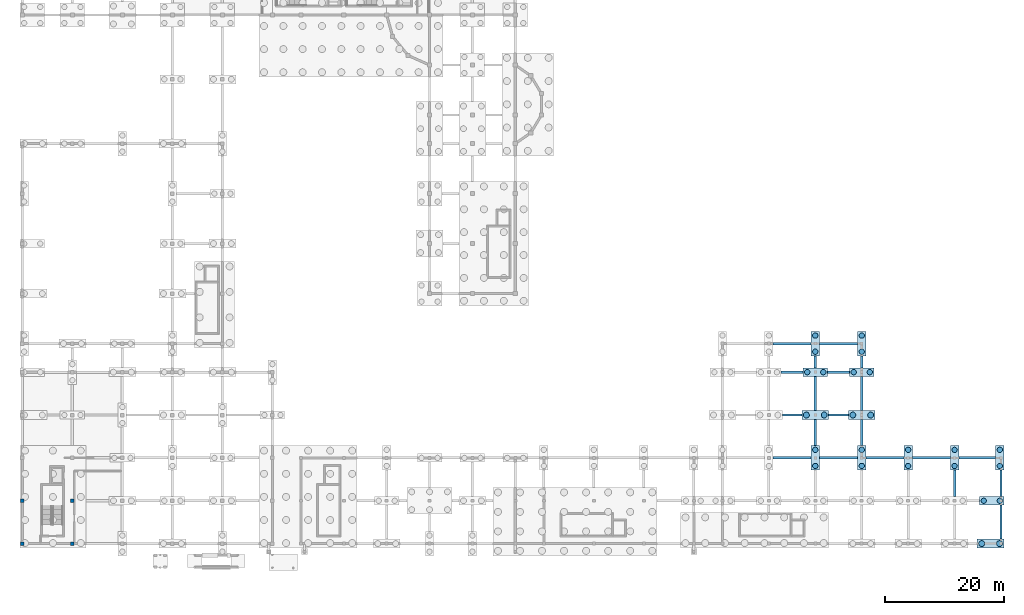
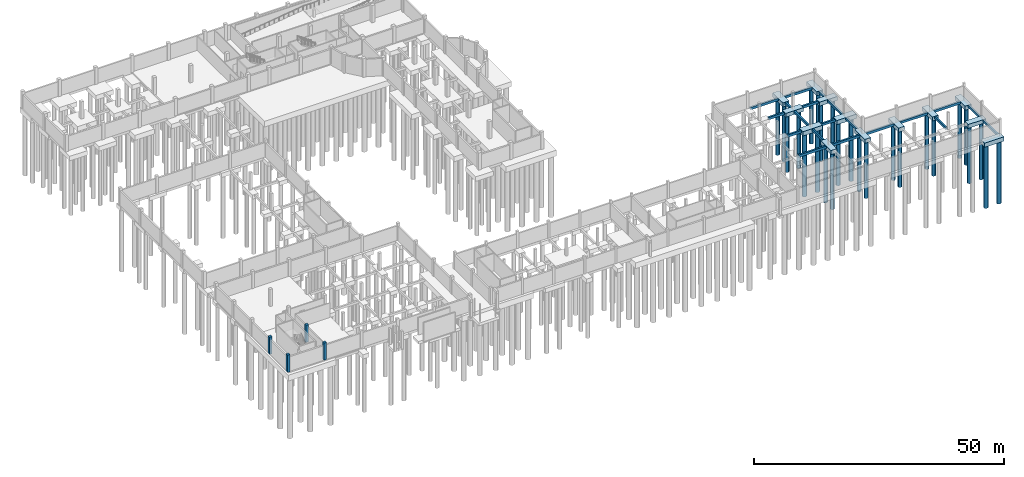
# One storey, part 7 of 22: 33 footings, 26 piles, 4 columns.
"""IFC4 building model written with IfcOpenShell, lengths in metres."""

from ifc_helpers import new_model, si_unit, direction, frame, origin, origin_2d, place, context, subcontext, project, spatial, rectangle, circle, extrude, material, material_profile, profile_set, type_object, element, save


model = new_model("IFC4")

# Units and contexts
model_context = context("Model", 3, precision=1e-05, world=origin(), true_north=direction((0.0, 1.0)))
body_context = subcontext(model_context, "Body", "Model", "MODEL_VIEW")
ifc_project = project(units=[si_unit("LENGTHUNIT", "METRE"), si_unit("AREAUNIT", "SQUARE_METRE"), si_unit("VOLUMEUNIT", "CUBIC_METRE"), si_unit("PLANEANGLEUNIT", "RADIAN"), si_unit("MASSUNIT", "GRAM", prefix="KILO")], contexts=[model_context])

# Site, building, storey
site_placement = place(None, origin())
site = spatial("IfcSite", under=ifc_project, at=site_placement, CompositionType="ELEMENT")
building_placement = place(site_placement, origin())
building = spatial("IfcBuilding", under=site, at=building_placement, Name="Kahlenmark Community Centre", CompositionType="ELEMENT")
storey_placement = place(building_placement, frame((0.0, 0.0, -4.199951171875)))
storey = spatial("IfcBuildingStorey", under=building, at=storey_placement, Name="B1", CompositionType="ELEMENT", Elevation=-4.199951171875)

# Footings
ifc_material_1 = material(Name="Concrete C30/37", Category="concrete")
footing_type_1 = type_object("IfcFootingType", Name="FT-GB-400X600", PredefinedType="FOOTING_BEAM", material=ifc_material_1)
for number, where, z_axis, x_axis, name in (
    (1, (133.300048828125, 23.199951171875, -0.60009765625), (0.0, 0.0, 1.0), (1.0, 0.0, 0.0), "Ground tie beam X043"),
    (2, (141.10009765625, 23.199951171875, -0.60009765625), (0.0, 0.0, 1.0), (1.0, 0.0, 0.0), "Ground tie beam X044"),
    (3, (148.89990234375, 23.199951171875, -0.60009765625), (0.0, 0.0, 1.0), (1.0, 0.0, 0.0), "Ground tie beam X045"),
    (4, (156.699951171875, 23.199951171875, -0.60009765625), (0.0, 0.0, 1.0), (1.0, 0.0, 0.0), "Ground tie beam X046"),
):
    element("IfcFooting", number, at=place(storey_placement, frame(where, z_axis=z_axis, x_axis=x_axis)), inside=storey, type_object=footing_type_1, Name=name, PredefinedType="FOOTING_BEAM", context=body_context, shape_type="SweptSolid", body=[
        extrude(rectangle(XDim=6.39990234375, YDim=0.39990234375, at=origin_2d()), origin(), (0.0, 0.0, 1.0), 0.60009765625),
    ])
footing_1_placement = place(storey_placement, frame((164.39990234375, 23.199951171875, -0.60009765625), z_axis=(0.0, 0.0, 1.0), x_axis=(1.0, 0.0, 0.0)))
element("IfcFooting", 5, at=footing_1_placement, inside=storey, type_object=footing_type_1, Name="Ground tie beam X047", PredefinedType="FOOTING_BEAM", context=body_context, shape_type="SweptSolid", body=[
    extrude(rectangle(XDim=6.199951171875, YDim=0.39990234375, at=origin_2d()), origin(), (0.0, 0.0, 1.0), 0.60009765625),
])
for number, where, z_axis, x_axis, name in (
    (6, (133.300048828125, 30.39990234375, -0.60009765625), (0.0, 0.0, 1.0), (1.0, 0.0, 0.0), "Ground tie beam X054"),
    (7, (141.10009765625, 30.39990234375, -0.60009765625), (0.0, 0.0, 1.0), (1.0, 0.0, 0.0), "Ground tie beam X055"),
):
    element("IfcFooting", number, at=place(storey_placement, frame(where, z_axis=z_axis, x_axis=x_axis)), inside=storey, type_object=footing_type_1, Name=name, PredefinedType="FOOTING_BEAM", context=body_context, shape_type="SweptSolid", body=[
        extrude(rectangle(XDim=3.300048828125, YDim=0.39990234375, at=origin_2d()), origin(), (0.0, 0.0, 1.0), 0.60009765625),
    ])
for number, where, z_axis, x_axis, name in (
    (8, (133.300048828125, 37.60009765625, -0.60009765625), (0.0, 0.0, 1.0), (1.0, 0.0, 0.0), "Ground tie beam X062"),
    (9, (141.10009765625, 37.60009765625, -0.60009765625), (0.0, 0.0, 1.0), (1.0, 0.0, 0.0), "Ground tie beam X063"),
):
    element("IfcFooting", number, at=place(storey_placement, frame(where, z_axis=z_axis, x_axis=x_axis)), inside=storey, type_object=footing_type_1, Name=name, PredefinedType="FOOTING_BEAM", context=body_context, shape_type="SweptSolid", body=[
        extrude(rectangle(XDim=3.699951171875, YDim=0.39990234375, at=origin_2d()), origin(), (0.0, 0.0, 1.0), 0.60009765625),
    ])
for number, where, z_axis, x_axis, name in (
    (10, (133.300048828125, 42.39990234375, -0.60009765625), (0.0, 0.0, 1.0), (1.0, 0.0, 0.0), "Ground tie beam X069"),
    (11, (141.10009765625, 42.39990234375, -0.60009765625), (0.0, 0.0, 1.0), (1.0, 0.0, 0.0), "Ground tie beam X070"),
):
    element("IfcFooting", number, at=place(storey_placement, frame(where, z_axis=z_axis, x_axis=x_axis)), inside=storey, type_object=footing_type_1, Name=name, PredefinedType="FOOTING_BEAM", context=body_context, shape_type="SweptSolid", body=[
        extrude(rectangle(XDim=6.39990234375, YDim=0.39990234375, at=origin_2d()), origin(), (0.0, 0.0, 1.0), 0.60009765625),
    ])
footing_2_placement = place(storey_placement, frame((137.199951171875, 27.449951171875, -0.60009765625), z_axis=(0.0, 0.0, 1.0), x_axis=(1.0, 0.0, 0.0)))
element("IfcFooting", 12, at=footing_2_placement, inside=storey, type_object=footing_type_1, Name="Ground tie beam Y201", PredefinedType="FOOTING_BEAM", context=body_context, shape_type="SweptSolid", body=[
    extrude(rectangle(XDim=0.39990234375, YDim=4.39990234375, at=origin_2d()), origin(), (0.0, 0.0, 1.0), 0.60009765625),
])
footing_3_placement = place(storey_placement, frame((137.199951171875, 34.02490234375, -0.60009765625), z_axis=(0.0, 0.0, 1.0), x_axis=(1.0, 0.0, 0.0)))
element("IfcFooting", 13, at=footing_3_placement, inside=storey, type_object=footing_type_1, Name="Ground tie beam Y202", PredefinedType="FOOTING_BEAM", context=body_context, shape_type="SweptSolid", body=[
    extrude(rectangle(XDim=0.39990234375, YDim=5.75, at=origin_2d()), origin(), (0.0, 0.0, 1.0), 0.60009765625),
])
footing_4_placement = place(storey_placement, frame((137.199951171875, 39.324951171875, -0.60009765625), z_axis=(0.0, 0.0, 1.0), x_axis=(1.0, 0.0, 0.0)))
element("IfcFooting", 14, at=footing_4_placement, inside=storey, type_object=footing_type_1, Name="Ground tie beam Y203", PredefinedType="FOOTING_BEAM", context=body_context, shape_type="SweptSolid", body=[
    extrude(rectangle(XDim=0.39990234375, YDim=2.050048828125, at=origin_2d()), origin(), (0.0, 0.0, 1.0), 0.60009765625),
])
footing_5_placement = place(storey_placement, frame((145.0, 27.449951171875, -0.60009765625), z_axis=(0.0, 0.0, 1.0), x_axis=(1.0, 0.0, 0.0)))
element("IfcFooting", 15, at=footing_5_placement, inside=storey, type_object=footing_type_1, Name="Ground tie beam Y206", PredefinedType="FOOTING_BEAM", context=body_context, shape_type="SweptSolid", body=[
    extrude(rectangle(XDim=0.39990234375, YDim=4.39990234375, at=origin_2d()), origin(), (0.0, 0.0, 1.0), 0.60009765625),
])
footing_6_placement = place(storey_placement, frame((145.0, 34.02490234375, -0.60009765625), z_axis=(0.0, 0.0, 1.0), x_axis=(1.0, 0.0, 0.0)))
element("IfcFooting", 16, at=footing_6_placement, inside=storey, type_object=footing_type_1, Name="Ground tie beam Y207", PredefinedType="FOOTING_BEAM", context=body_context, shape_type="SweptSolid", body=[
    extrude(rectangle(XDim=0.39990234375, YDim=5.75, at=origin_2d()), origin(), (0.0, 0.0, 1.0), 0.60009765625),
])
footing_7_placement = place(storey_placement, frame((145.0, 39.324951171875, -0.60009765625), z_axis=(0.0, 0.0, 1.0), x_axis=(1.0, 0.0, 0.0)))
element("IfcFooting", 17, at=footing_7_placement, inside=storey, type_object=footing_type_1, Name="Ground tie beam Y208", PredefinedType="FOOTING_BEAM", context=body_context, shape_type="SweptSolid", body=[
    extrude(rectangle(XDim=0.39990234375, YDim=2.050048828125, at=origin_2d()), origin(), (0.0, 0.0, 1.0), 0.60009765625),
])
footing_8_placement = place(storey_placement, frame((160.60009765625, 18.925048828125, -0.60009765625), z_axis=(0.0, 0.0, 1.0), x_axis=(1.0, 0.0, 0.0)))
element("IfcFooting", 18, at=footing_8_placement, inside=storey, type_object=footing_type_1, Name="Ground tie beam Y212", PredefinedType="FOOTING_BEAM", context=body_context, shape_type="SweptSolid", body=[
    extrude(rectangle(XDim=0.39990234375, YDim=4.449951171875, at=origin_2d()), origin(), (0.0, 0.0, 1.0), 0.60009765625),
])
footing_9_placement = place(storey_placement, frame((168.39990234375, 12.425048828125, -0.60009765625), z_axis=(0.0, 0.0, 1.0), x_axis=(1.0, 0.0, 0.0)))
element("IfcFooting", 19, at=footing_9_placement, inside=storey, type_object=footing_type_1, Name="Ground tie beam Y213", PredefinedType="FOOTING_BEAM", context=body_context, shape_type="SweptSolid", body=[
    extrude(rectangle(XDim=0.39990234375, YDim=5.75, at=origin_2d()), origin(), (0.0, 0.0, 1.0), 0.60009765625),
])
footing_10_placement = place(storey_placement, frame((168.39990234375, 18.925048828125, -0.60009765625), z_axis=(0.0, 0.0, 1.0), x_axis=(1.0, 0.0, 0.0)))
element("IfcFooting", 20, at=footing_10_placement, inside=storey, type_object=footing_type_1, Name="Ground tie beam Y214", PredefinedType="FOOTING_BEAM", context=body_context, shape_type="SweptSolid", body=[
    extrude(rectangle(XDim=0.39990234375, YDim=4.449951171875, at=origin_2d()), origin(), (0.0, 0.0, 1.0), 0.60009765625),
])
footing_type_2 = type_object("IfcFootingType", Name="FT-PC-140X410X100", PredefinedType="PILE_CAP", material=ifc_material_1)
for number, where, z_axis, x_axis, name in (
    (21, (137.199951171875, 23.199951171875, -1.0), (0.0, 0.0, 1.0), (1.0, 0.0, 0.0), "Bored pile cap FT-PC-036"),
    (22, (145.0, 23.199951171875, -1.0), (0.0, 0.0, 1.0), (1.0, 0.0, 0.0), "Bored pile cap FT-PC-037"),
    (23, (152.800048828125, 23.199951171875, -1.0), (0.0, 0.0, 1.0), (1.0, 0.0, 0.0), "Bored pile cap FT-PC-038"),
    (24, (160.60009765625, 23.199951171875, -1.0), (0.0, 0.0, 1.0), (1.0, 0.0, 0.0), "Bored pile cap FT-PC-039"),
    (25, (168.199951171875, 23.199951171875, -1.0), (0.0, 0.0, 1.0), (1.0, 0.0, 0.0), "Bored pile cap FT-PC-040"),
    (26, (137.199951171875, 42.39990234375, -1.0), (0.0, 0.0, 1.0), (1.0, 0.0, 0.0), "Bored pile cap FT-PC-070"),
    (27, (145.0, 42.39990234375, -1.0), (0.0, 0.0, 1.0), (1.0, 0.0, 0.0), "Bored pile cap FT-PC-071"),
):
    element("IfcFooting", number, at=place(storey_placement, frame(where, z_axis=z_axis, x_axis=x_axis)), inside=storey, type_object=footing_type_2, Name=name, PredefinedType="PILE_CAP", context=body_context, shape_type="SweptSolid", body=[
        extrude(rectangle(XDim=1.39990234375, YDim=4.10009765625, at=origin_2d()), origin(), (0.0, 0.0, 1.0), 1.0),
    ])
footing_type_3 = type_object("IfcFootingType", Name="FT-PC-410X140X95", PredefinedType="PILE_CAP", material=ifc_material_1)
for number, where, z_axis, x_axis, name in (
    (28, (166.85009765625, 16.0, -0.9501953125), (0.0, 0.0, 1.0), (1.0, 0.0, 0.0), "Bored pile cap FT-PC-027"),
    (29, (137.199951171875, 37.60009765625, -0.9501953125), (0.0, 0.0, 1.0), (1.0, 0.0, 0.0), "Bored pile cap FT-PC-064"),
    (30, (145.0, 37.60009765625, -0.9501953125), (0.0, 0.0, 1.0), (1.0, 0.0, 0.0), "Bored pile cap FT-PC-065"),
):
    element("IfcFooting", number, at=place(storey_placement, frame(where, z_axis=z_axis, x_axis=x_axis)), inside=storey, type_object=footing_type_3, Name=name, PredefinedType="PILE_CAP", context=body_context, shape_type="SweptSolid", body=[
        extrude(rectangle(XDim=4.10009765625, YDim=1.39990234375, at=origin_2d()), origin(), (0.0, 0.0, 1.0), 0.949951171875),
    ])
footing_type_4 = type_object("IfcFootingType", Name="FT-PC-450X150X105", PredefinedType="PILE_CAP", material=ifc_material_1)
for number, where, z_axis, x_axis, name in (
    (31, (166.64990234375, 8.800048828125, -1.05029296875), (0.0, 0.0, 1.0), (1.0, 0.0, 0.0), "Bored pile cap FT-PC-014"),
    (32, (137.199951171875, 30.39990234375, -1.05029296875), (0.0, 0.0, 1.0), (1.0, 0.0, 0.0), "Bored pile cap FT-PC-052"),
    (33, (145.0, 30.39990234375, -1.05029296875), (0.0, 0.0, 1.0), (1.0, 0.0, 0.0), "Bored pile cap FT-PC-053"),
):
    element("IfcFooting", number, at=place(storey_placement, frame(where, z_axis=z_axis, x_axis=x_axis)), inside=storey, type_object=footing_type_4, Name=name, PredefinedType="PILE_CAP", context=body_context, shape_type="SweptSolid", body=[
        extrude(rectangle(XDim=4.5, YDim=1.5, at=origin_2d()), origin(), (0.0, 0.0, 1.0), 1.050048828125),
    ])

# Piles
ifc_material_profile_1 = material_profile(ifc_material_1, circle(Radius=0.5, at=origin_2d()), Name="BORED PILE 1000")
ifc_profile_set_1 = profile_set([ifc_material_profile_1], Name="Concrete C30/37")
pile_type_1 = type_object("IfcPileType", Name="PT-BP1000", PredefinedType="BORED", material=ifc_profile_set_1)
for number, where, z_axis, x_axis, name in (
    (34, (165.14990234375, 8.800048828125, -0.949951171875), (0.0, 0.0, -1.0), (1.0, 0.0, 0.0), "Bored pile PL-RC2-014-01"),
    (35, (168.14990234375, 8.800048828125, -0.949951171875), (0.0, 0.0, -1.0), (1.0, 0.0, 0.0), "Bored pile PL-RC2-014-02"),
    (36, (135.699951171875, 30.39990234375, -0.949951171875), (0.0, 0.0, -1.0), (1.0, 0.0, 0.0), "Bored pile PL-RC2-052-01"),
    (37, (138.699951171875, 30.39990234375, -0.949951171875), (0.0, 0.0, -1.0), (1.0, 0.0, 0.0), "Bored pile PL-RC2-052-02"),
    (38, (143.5, 30.39990234375, -0.949951171875), (0.0, 0.0, -1.0), (1.0, 0.0, 0.0), "Bored pile PL-RC2-053-01"),
    (39, (146.5, 30.39990234375, -0.949951171875), (0.0, 0.0, -1.0), (1.0, 0.0, 0.0), "Bored pile PL-RC2-053-02"),
):
    element("IfcPile", number, at=place(storey_placement, frame(where, z_axis=z_axis, x_axis=x_axis)), inside=storey, type_object=pile_type_1, Name=name, PredefinedType="BORED", context=body_context, shape_type="SweptSolid", body=[
        extrude(circle(Radius=0.5, at=origin_2d()), origin(), (0.0, 0.0, 1.0), 15.35009765625),
    ])
ifc_material_profile_2 = material_profile(ifc_material_1, circle(Radius=0.449951171875, at=origin_2d()), Name="BORED PILE 900")
ifc_profile_set_2 = profile_set([ifc_material_profile_2], Name="Concrete C30/37")
pile_type_2 = type_object("IfcPileType", Name="PT-BP900", PredefinedType="BORED", material=ifc_profile_set_2)
for number, where, z_axis, x_axis, name in (
    (40, (165.5, 16.0, -0.85009765625), (0.0, 0.0, -1.0), (1.0, 0.0, 0.0), "Bored pile PL-RC2-027-01"),
    (41, (168.199951171875, 16.0, -0.85009765625), (0.0, 0.0, -1.0), (1.0, 0.0, 0.0), "Bored pile PL-RC2-027-02"),
):
    element("IfcPile", number, at=place(storey_placement, frame(where, z_axis=z_axis, x_axis=x_axis)), inside=storey, type_object=pile_type_2, Name=name, PredefinedType="BORED", context=body_context, shape_type="SweptSolid", body=[
        extrude(circle(Radius=0.449951171875, at=origin_2d()), origin(), (0.0, 0.0, 1.0), 13.949951171875),
    ])
for number, where, z_axis, x_axis, name in (
    (42, (137.199951171875, 21.85009765625, -0.900146484375), (0.0, 0.0, -1.0), (1.0, 0.0, 0.0), "Bored pile PL-RC2-036-01"),
    (43, (137.199951171875, 24.550048828125, -0.900146484375), (0.0, 0.0, -1.0), (1.0, 0.0, 0.0), "Bored pile PL-RC2-036-02"),
    (44, (145.0, 21.85009765625, -0.900146484375), (0.0, 0.0, -1.0), (1.0, 0.0, 0.0), "Bored pile PL-RC2-037-01"),
    (45, (145.0, 24.550048828125, -0.900146484375), (0.0, 0.0, -1.0), (1.0, 0.0, 0.0), "Bored pile PL-RC2-037-02"),
    (46, (152.800048828125, 21.85009765625, -0.900146484375), (0.0, 0.0, -1.0), (1.0, 0.0, 0.0), "Bored pile PL-RC2-038-01"),
    (47, (152.800048828125, 24.550048828125, -0.900146484375), (0.0, 0.0, -1.0), (1.0, 0.0, 0.0), "Bored pile PL-RC2-038-02"),
    (48, (160.60009765625, 21.85009765625, -0.900146484375), (0.0, 0.0, -1.0), (1.0, 0.0, 0.0), "Bored pile PL-RC2-039-01"),
    (49, (160.60009765625, 24.550048828125, -0.900146484375), (0.0, 0.0, -1.0), (1.0, 0.0, 0.0), "Bored pile PL-RC2-039-02"),
    (50, (168.199951171875, 21.85009765625, -0.900146484375), (0.0, 0.0, -1.0), (1.0, 0.0, 0.0), "Bored pile PL-RC2-040-01"),
    (51, (168.199951171875, 24.550048828125, -0.900146484375), (0.0, 0.0, -1.0), (1.0, 0.0, 0.0), "Bored pile PL-RC2-040-02"),
):
    element("IfcPile", number, at=place(storey_placement, frame(where, z_axis=z_axis, x_axis=x_axis)), inside=storey, type_object=pile_type_2, Name=name, PredefinedType="BORED", context=body_context, shape_type="SweptSolid", body=[
        extrude(circle(Radius=0.449951171875, at=origin_2d()), origin(), (0.0, 0.0, 1.0), 13.89990234375),
    ])
for number, where, z_axis, x_axis, name in (
    (52, (135.85009765625, 37.60009765625, -0.85009765625), (0.0, 0.0, -1.0), (1.0, 0.0, 0.0), "Bored pile PL-RC2-064-01"),
    (53, (138.550048828125, 37.60009765625, -0.85009765625), (0.0, 0.0, -1.0), (1.0, 0.0, 0.0), "Bored pile PL-RC2-064-02"),
    (54, (143.64990234375, 37.60009765625, -0.85009765625), (0.0, 0.0, -1.0), (1.0, 0.0, 0.0), "Bored pile PL-RC2-065-01"),
    (55, (146.35009765625, 37.60009765625, -0.85009765625), (0.0, 0.0, -1.0), (1.0, 0.0, 0.0), "Bored pile PL-RC2-065-02"),
):
    element("IfcPile", number, at=place(storey_placement, frame(where, z_axis=z_axis, x_axis=x_axis)), inside=storey, type_object=pile_type_2, Name=name, PredefinedType="BORED", context=body_context, shape_type="SweptSolid", body=[
        extrude(circle(Radius=0.449951171875, at=origin_2d()), origin(), (0.0, 0.0, 1.0), 13.949951171875),
    ])
for number, where, z_axis, x_axis, name in (
    (56, (137.199951171875, 41.050048828125, -0.900146484375), (0.0, 0.0, -1.0), (1.0, 0.0, 0.0), "Bored pile PL-RC2-070-01"),
    (57, (137.199951171875, 43.75, -0.900146484375), (0.0, 0.0, -1.0), (1.0, 0.0, 0.0), "Bored pile PL-RC2-070-02"),
    (58, (145.0, 41.050048828125, -0.900146484375), (0.0, 0.0, -1.0), (1.0, 0.0, 0.0), "Bored pile PL-RC2-071-01"),
    (59, (145.0, 43.75, -0.900146484375), (0.0, 0.0, -1.0), (1.0, 0.0, 0.0), "Bored pile PL-RC2-071-02"),
):
    element("IfcPile", number, at=place(storey_placement, frame(where, z_axis=z_axis, x_axis=x_axis)), inside=storey, type_object=pile_type_2, Name=name, PredefinedType="BORED", context=body_context, shape_type="SweptSolid", body=[
        extrude(circle(Radius=0.449951171875, at=origin_2d()), origin(), (0.0, 0.0, 1.0), 13.89990234375),
    ])

# Columns
ifc_material_2 = material(Name="Concrete C35/45", Category="concrete")
ifc_material_profile_3 = material_profile(ifc_material_2, rectangle(XDim=0.60009765625, YDim=0.60009765625, at=origin_2d()), Name="RC 600x600")
ifc_profile_set_3 = profile_set([ifc_material_profile_3], Name="Concrete C35/45")
column_type = type_object("IfcColumnType", Name="CT-RC600", PredefinedType="COLUMN", material=ifc_profile_set_3)
for number, where, z_axis, x_axis, name in (
    (60, (4.0, 8.800048828125, 0.0), (0.0, 0.0, 1.0), (1.0, 0.0, 0.0), "B1 column (4.0, 8.8)"),
    (61, (4.0, 16.0, 0.0), (0.0, 0.0, 1.0), (1.0, 0.0, 0.0), "B1 column (4.0, 16.0)"),
    (62, (12.39990234375, 8.800048828125, 0.0), (0.0, 0.0, 1.0), (1.0, 0.0, 0.0), "B1 column (12.4, 8.8)"),
    (63, (12.39990234375, 16.0, 0.0), (0.0, 0.0, 1.0), (1.0, 0.0, 0.0), "B1 column (12.4, 16.0)"),
):
    element("IfcColumn", number, at=place(storey_placement, frame(where, z_axis=z_axis, x_axis=x_axis)), inside=storey, type_object=column_type, Name=name, PredefinedType="COLUMN", context=body_context, shape_type="SweptSolid", body=[
        extrude(rectangle(XDim=0.60009765625, YDim=0.60009765625, at=origin_2d()), origin(), (0.0, 0.0, 1.0), 4.199951171875),
    ])

save(model, "model.ifc")
